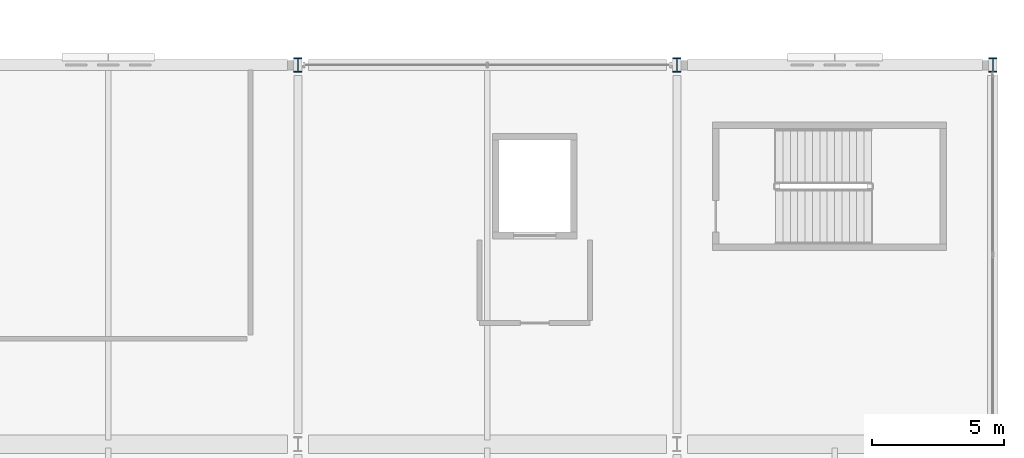
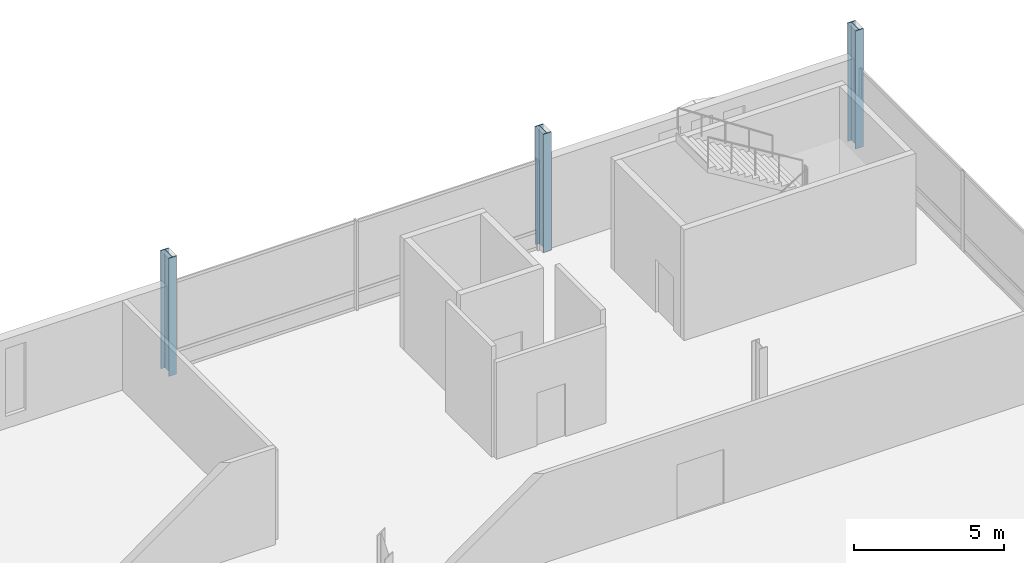
# One storey, part 23 of 220: 3 columns.
"""IFC4 building model written with IfcOpenShell, lengths in metres."""

from ifc_helpers import new_model, si_unit, direction, frame, origin, origin_2d, place, context, subcontext, project, spatial, i_section, extrude, material, material_profile, profile_set, type_object, element, save


model = new_model("IFC4")

# Units and contexts
model_context = context("Model", 3, precision=1e-05, world=origin(), true_north=direction((0.0, 1.0)))
body_context = subcontext(model_context, "Body", "Model", "MODEL_VIEW")
ifc_project = project(units=[si_unit("LENGTHUNIT", "METRE"), si_unit("AREAUNIT", "SQUARE_METRE"), si_unit("VOLUMEUNIT", "CUBIC_METRE"), si_unit("PLANEANGLEUNIT", "RADIAN"), si_unit("MASSUNIT", "GRAM", prefix="KILO")], contexts=[model_context])

# Site, building, storey
site_placement = place(None, origin())
site = spatial("IfcSite", under=ifc_project, at=site_placement, CompositionType="ELEMENT")
building_placement = place(site_placement, origin())
building = spatial("IfcBuilding", under=site, at=building_placement, Name="Cendralis Lancet Convention Centre", CompositionType="ELEMENT")
storey_placement = place(building_placement, frame((0.0, 0.0, 5.39990234375)))
storey = spatial("IfcBuildingStorey", under=building, at=storey_placement, Name="L01", CompositionType="ELEMENT", Elevation=5.39990234375)

# Columns
ifc_material = material(Name="Steel S355", Category="steel")
ifc_material_profile = material_profile(ifc_material, i_section(OverallWidth=0.300048828125, OverallDepth=0.550048828125, WebThickness=0.014892578125, FlangeThickness=0.029052734375, FilletRadius=0.027099609375, at=origin_2d()), Name="HEB 550")
ifc_profile_set = profile_set([ifc_material_profile], Name="Steel S355")
column_type = type_object("IfcColumnType", Name="STR-COL-C22", PredefinedType="COLUMN", material=ifc_profile_set)
for number, where, z_axis, x_axis, name in (
    (1, (182.39990234375, 136.800048828125, 0.0), (0.0, 0.0, 1.0), (1.0, 0.0, 0.0), "L01 Column C22 at 182.4,136.8"),
    (2, (196.800048828125, 136.800048828125, 0.0), (0.0, 0.0, 1.0), (1.0, 0.0, 0.0), "L01 Column C22 at 196.8,136.8"),
    (3, (208.800048828125, 136.800048828125, 0.0), (0.0, 0.0, 1.0), (1.0, 0.0, 0.0), "L01 Column C22 at 208.8,136.8"),
):
    element("IfcColumn", number, at=place(storey_placement, frame(where, z_axis=z_axis, x_axis=x_axis)), inside=storey, type_object=column_type, Name=name, PredefinedType="COLUMN", context=body_context, shape_type="SweptSolid", body=[
        extrude(i_section(OverallWidth=0.300048828125, OverallDepth=0.550048828125, WebThickness=0.014892578125, FlangeThickness=0.029052734375, FilletRadius=0.027099609375, at=origin_2d()), origin(), (0.0, 0.0, 1.0), 4.800048828125),
    ])

save(model, "model.ifc")
